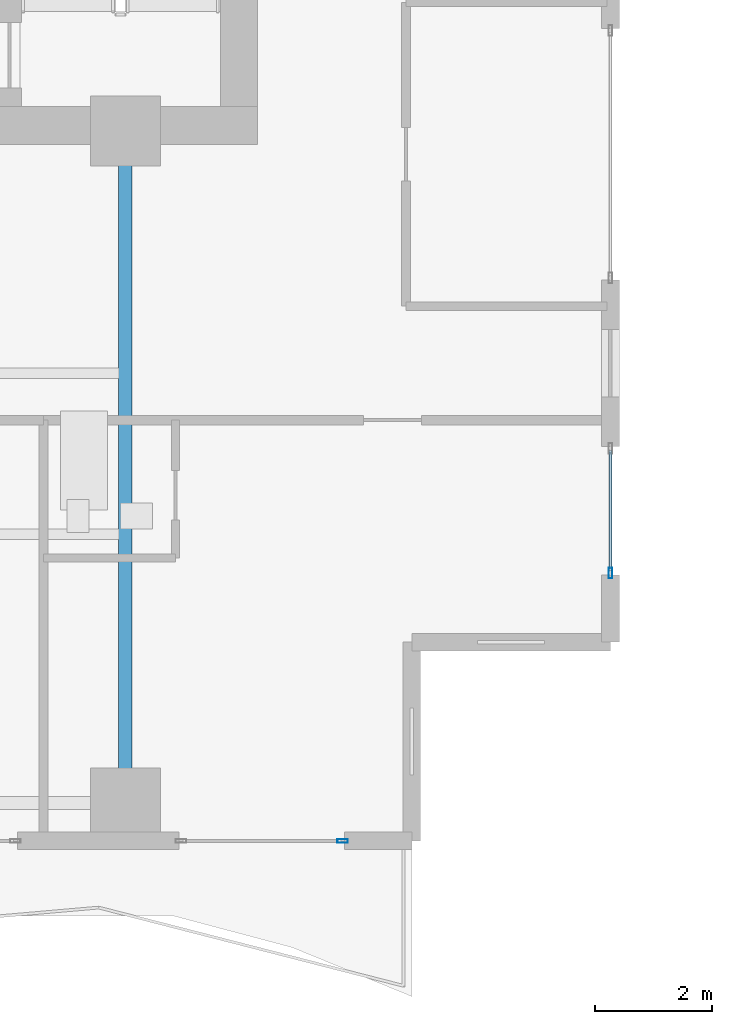
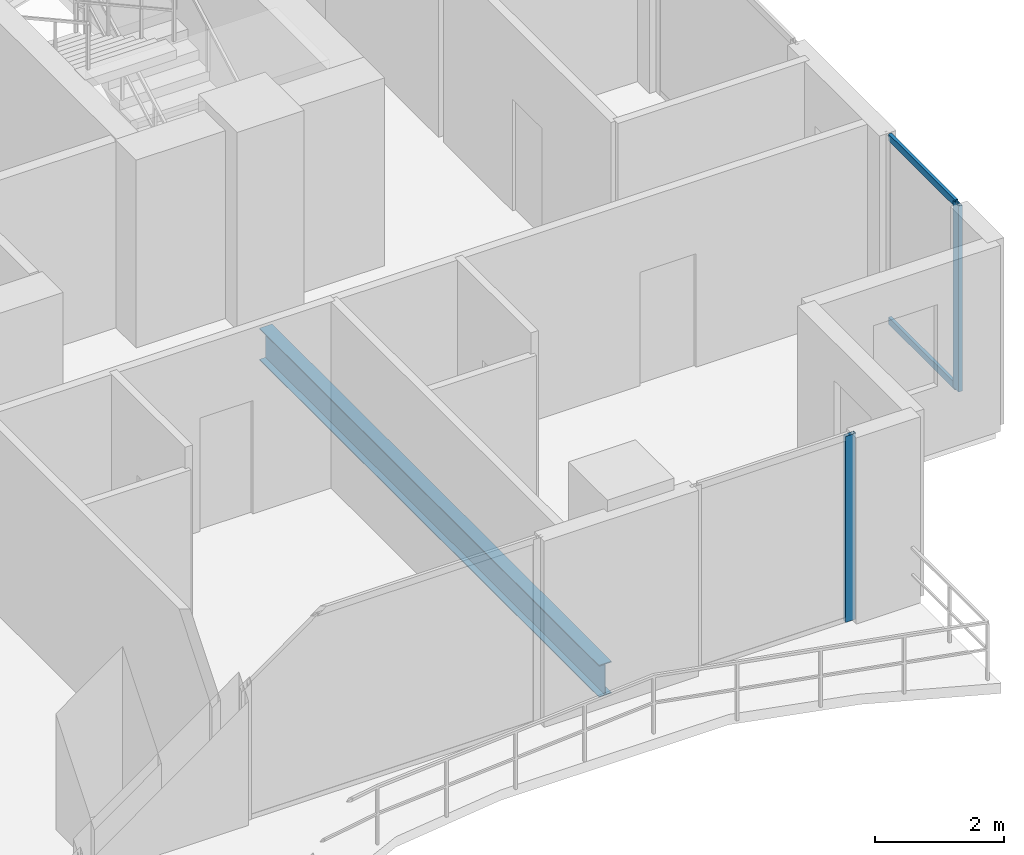
# One storey, part 10 of 32: 4 members, 1 beam, 2 elements without a shape of their own.
"""IFC4 building model written with IfcOpenShell, lengths in metres."""

import ifcopenshell
import ifcopenshell.guid

model = None  # the IFC model being written
_history = None  # IfcOwnerHistory: only IFC2X3 demands one
_inside = {}  # id of a spatial element -> (the spatial element, [elements in it])
_under = {}  # id of a project, library or spatial element -> (it, [spatial elements below it])
_declared = {}  # id of a project -> (the project, [libraries it declares])
_typed = {}  # id of a type object -> (the type object, [elements of that type])
_made_of = {}  # id of a material, layer set ... -> (it, [elements and type objects made of it])


def new_model(schema):
    """Start an empty IFC model of exactly this schema.

    Asked for "IFC4X3", IfcOpenShell would pick the latest addendum, in which some entities
    have other attributes; the version numbers below select the first issue.
    IFC2X3 requires an IfcOwnerHistory on every rooted entity: one is made here for all.
    """
    global model, _history
    if schema == "IFC4X3":
        model = ifcopenshell.file(schema_version=(4, 3, 0, 0))
    else:
        model = ifcopenshell.file(schema=schema)
    _inside.clear()
    _under.clear()
    _declared.clear()
    _typed.clear()
    _made_of.clear()
    _history = None
    if model.schema == "IFC2X3":
        org = make("IfcOrganization", Name="unknown")
        user = make(
            "IfcPersonAndOrganization",
            ThePerson=make("IfcPerson", FamilyName="unknown"),
            TheOrganization=org,
        )
        app = make(
            "IfcApplication",
            ApplicationDeveloper=org,
            Version="unknown",
            ApplicationFullName="unknown",
            ApplicationIdentifier="unknown",
        )
        _history = make(
            "IfcOwnerHistory",
            OwningUser=user,
            OwningApplication=app,
            ChangeAction="ADDED",
            CreationDate=0,
        )
    return model


def make(cls, **values):
    """One entity of the class cls with the attributes given. An attribute that is None is left unset."""
    return model.create_entity(
        cls, **{name: value for name, value in values.items() if value is not None}
    )


def rooted(cls, **values):
    """An entity with a GlobalId (a new one), such as an element, a storey or a relation."""
    return make(cls, GlobalId=ifcopenshell.guid.new(), OwnerHistory=_history, **values)


def si_unit(unit_type, name, prefix=None):
    """IfcSIUnit, for example si_unit("LENGTHUNIT", "METRE", prefix="MILLI")."""
    return make("IfcSIUnit", UnitType=unit_type, Prefix=prefix, Name=name)


def assignment(units):
    """IfcUnitAssignment: the units of a project."""
    return None if units is None else make("IfcUnitAssignment", Units=units)


def point(xyz):
    """IfcCartesianPoint."""
    return None if xyz is None else make("IfcCartesianPoint", Coordinates=xyz)


def direction(xyz):
    """IfcDirection."""
    return None if xyz is None else make("IfcDirection", DirectionRatios=xyz)


def frame(location, z_axis=None, x_axis=None):
    """IfcAxis2Placement3D, a coordinate frame: its origin and axes. An axis left out is left unset."""
    return make(
        "IfcAxis2Placement3D",
        Location=point(location),
        Axis=direction(z_axis),
        RefDirection=direction(x_axis),
    )


def frame_2d(location, x_axis=None):
    """IfcAxis2Placement2D, a coordinate frame in the plane: its origin and x axis."""
    return make(
        "IfcAxis2Placement2D", Location=point(location), RefDirection=direction(x_axis)
    )


def origin():
    """The frame at (0, 0, 0) with its axes left unset."""
    return frame((0.0, 0.0, 0.0))


def origin_2d():
    """The frame at (0, 0) in the plane with its x axis left unset."""
    return frame_2d((0.0, 0.0))


def place(relative_to, where):
    """IfcLocalPlacement: puts the frame where relative to a parent placement (None: the world)."""
    return make(
        "IfcLocalPlacement", PlacementRelTo=relative_to, RelativePlacement=where
    )


def context(
    kind, dimensions, precision=None, world=None, true_north=None, identifier=None
):
    """IfcGeometricRepresentationContext, for example the 3D "Model" context."""
    return make(
        "IfcGeometricRepresentationContext",
        ContextIdentifier=identifier,
        ContextType=kind,
        CoordinateSpaceDimension=dimensions,
        Precision=precision,
        WorldCoordinateSystem=world,
        TrueNorth=true_north,
    )


def subcontext(parent, identifier, kind, view, scale=None):
    """IfcGeometricRepresentationSubContext, for example "Body" below "Model"."""
    return make(
        "IfcGeometricRepresentationSubContext",
        ContextIdentifier=identifier,
        ContextType=kind,
        ParentContext=parent,
        TargetScale=scale,
        TargetView=view,
    )


def project(units=None, contexts=None):
    """IfcProject with its units and contexts."""
    return rooted(
        "IfcProject",
        Name="project",
        RepresentationContexts=contexts,
        UnitsInContext=assignment(units),
    )


def spatial(cls, under=None, at=None, **own):
    """A site, building, storey or space (cls), placed at a placement, below another one or the project."""
    s = rooted(cls, ObjectPlacement=at, **own)
    if under is not None:
        _under.setdefault(under.id(), (under, []))[1].append(s)
    return s


def profile(cls, at=None, kind="AREA", **sizes):
    """A parametric profile (cls). Its sizes go by their IFC names, for example OverallWidth=200.0."""
    return make(cls, ProfileType=kind, Position=at, **sizes)


def hollow_rectangle(**sizes):
    """IfcRectangleHollowProfileDef."""
    return profile("IfcRectangleHollowProfileDef", **sizes)


def i_section(**sizes):
    """IfcIShapeProfileDef."""
    return profile("IfcIShapeProfileDef", **sizes)


def extrude(swept, where, along, depth):
    """IfcExtrudedAreaSolid: the profile swept, set in the frame where, extruded along a direction by depth."""
    return make(
        "IfcExtrudedAreaSolid",
        SweptArea=swept,
        Position=where,
        ExtrudedDirection=direction(along),
        Depth=depth,
    )


def shape(context_of_items, identifier, shape_type, items):
    """IfcShapeRepresentation: the items that make up one representation, for example the "Body"."""
    return make(
        "IfcShapeRepresentation",
        ContextOfItems=context_of_items,
        RepresentationIdentifier=identifier,
        RepresentationType=shape_type,
        Items=items,
    )


def material(Name=None, Category=None):
    """IfcMaterial."""
    return make("IfcMaterial", Name=Name, Category=Category)


def layer(
    of_material, thickness, ventilated=None, Name=None, Category=None, Priority=None
):
    """IfcMaterialLayer: one layer of a wall or slab, of a material (None: an air gap)."""
    return make(
        "IfcMaterialLayer",
        Material=of_material,
        LayerThickness=thickness,
        IsVentilated=ventilated,
        Name=Name,
        Category=Category,
        Priority=Priority,
    )


def layer_set(layers, Name=None):
    """IfcMaterialLayerSet."""
    return make("IfcMaterialLayerSet", MaterialLayers=layers, LayerSetName=Name)


def material_profile(
    of_material, cross_section, Name=None, Category=None, Priority=None
):
    """IfcMaterialProfile: a cross section and its material."""
    return make(
        "IfcMaterialProfile",
        Name=Name,
        Material=of_material,
        Profile=cross_section,
        Priority=Priority,
        Category=Category,
    )


def profile_set(profiles, Name=None, composite=None):
    """IfcMaterialProfileSet."""
    return make(
        "IfcMaterialProfileSet",
        Name=Name,
        MaterialProfiles=profiles,
        CompositeProfile=composite,
    )


def made_of(thing, what):
    """Note that an element or type object is made of a material, layer set ...; save() writes the relation."""
    if what is not None:
        _made_of.setdefault(what.id(), (what, []))[1].append(thing)
    return thing


def type_object(cls, material=None, **own):
    """A type object (cls), such as IfcWallType, which elements share."""
    return made_of(rooted(cls, **own), material)


def element(
    cls,
    number,
    at=None,
    inside=None,
    cuts=None,
    type_object=None,
    material=None,
    context=None,
    identifier="Body",
    shape_type=None,
    held_by="IfcProductDefinitionShape",
    body=None,
    shapes=None,
    **own,
):
    """One element of the class cls, such as IfcWall. Its Tag is "e" and its number.

    at: its placement. inside: the storey or other place that contains it. cuts: it is an
    opening in that element (IfcRelVoidsElement). A single representation is given by context,
    identifier, shape_type and body (its items); several are given by shapes. held_by: the class
    of the entity that holds the representations. save() writes the other relations.
    """
    e = rooted(cls, Tag="e%d" % number, ObjectPlacement=at, **own)
    if body is not None:
        shapes = [shape(context, identifier, shape_type, body)]
    if shapes is not None:
        e.Representation = make(held_by, Representations=shapes)
    if inside is not None:
        _inside.setdefault(inside.id(), (inside, []))[1].append(e)
    if cuts is not None:
        rooted(
            "IfcRelVoidsElement", RelatingBuildingElement=cuts, RelatedOpeningElement=e
        )
    if type_object is not None:
        _typed.setdefault(type_object.id(), (type_object, []))[1].append(e)
    return made_of(e, material)


def aggregate(whole, parts):
    """IfcRelAggregates: a whole, such as a stair, and the parts it consists of."""
    return rooted("IfcRelAggregates", RelatingObject=whole, RelatedObjects=parts)


def save(model, path):
    """Write the relations noted so far, then the file.

    IfcRelAggregates (storeys below a building ...), IfcRelContainedInSpatialStructure (elements
    in a storey), IfcRelDefinesByType, IfcRelAssociatesMaterial and IfcRelDeclares: one each for
    every whole, place, type object, material and project.
    """
    for whole, parts in _under.values():
        aggregate(whole, parts)
    for where, things in _inside.values():
        rooted(
            "IfcRelContainedInSpatialStructure",
            RelatedElements=things,
            RelatingStructure=where,
        )
    for kind, things in _typed.values():
        rooted("IfcRelDefinesByType", RelatedObjects=things, RelatingType=kind)
    for what, things in _made_of.values():
        rooted("IfcRelAssociatesMaterial", RelatedObjects=things, RelatingMaterial=what)
    for by, libraries in _declared.values():
        rooted("IfcRelDeclares", RelatingContext=by, RelatedDefinitions=libraries)
    model.write(path)


model = new_model("IFC4")

# Units and contexts
model_context = context("Model", 3, precision=1e-05, world=origin(), true_north=direction((0.0, 1.0)))
body_context = subcontext(model_context, "Body", "Model", "MODEL_VIEW")
ifc_project = project(units=[si_unit("LENGTHUNIT", "METRE"), si_unit("AREAUNIT", "SQUARE_METRE"), si_unit("VOLUMEUNIT", "CUBIC_METRE"), si_unit("PLANEANGLEUNIT", "RADIAN"), si_unit("MASSUNIT", "GRAM", prefix="KILO")], contexts=[model_context])

# Site, building, storey
site_placement = place(None, origin())
site = spatial("IfcSite", under=ifc_project, at=site_placement, CompositionType="ELEMENT")
building_placement = place(site_placement, origin())
building = spatial("IfcBuilding", under=site, at=building_placement, Name="Zuhayl Quay Hotel", CompositionType="ELEMENT")
storey_placement = place(building_placement, frame((0.0, 0.0, 192.39990234375)))
storey = spatial("IfcBuildingStorey", under=building, at=storey_placement, Name="L48", CompositionType="ELEMENT", Elevation=192.39990234375)

# Beam
ifc_material_1 = material(Name="Steel ASTM A992 Grade 50", Category="steel")
ifc_material_profile_1 = material_profile(ifc_material_1, i_section(OverallWidth=0.22802734375, OverallDepth=0.60693359375, WebThickness=0.01123046875, FlangeThickness=0.017333984375, at=origin_2d()), Name="W24X76")
ifc_profile_set_1 = profile_set([ifc_material_profile_1], Name="Steel ASTM A992 Grade 50")
beam_type = type_object("IfcBeamType", Name="BM_B3_W24X76", PredefinedType="BEAM", material=ifc_profile_set_1)
beam_placement = place(storey_placement, frame((13.800048828125, -6.449951171875, -0.5234375), z_axis=(0.0, 1.0, 0.0), x_axis=(-1.0, 0.0, 0.0)))
element("IfcBeam", 1, at=beam_placement, inside=storey, type_object=beam_type, Name="L48 Floor Beam FG_S_L48_4", PredefinedType="BEAM", context=body_context, shape_type="SweptSolid", body=[
    extrude(i_section(OverallWidth=0.22802734375, OverallDepth=0.60693359375, WebThickness=0.01123046875, FlangeThickness=0.017333984375, at=origin_2d()), origin(), (0.0, 0.0, 1.0), 10.550048828125),
])

# Curtain wall, member
ifc_material_2 = material(Name="Anodised Aluminium 6063-T6", Category="aluminium")
ifc_layer = layer(ifc_material_2, 0.175048828125, Name="Anodised Aluminium 6063-T6", Category="aluminium")
ifc_layer_set = layer_set([ifc_layer], Name="Anodised Aluminium 6063-T6")
curtain_wall_type = type_object("IfcCurtainWallType", Name="CW_SYS_Z3", PredefinedType="USERDEFINED", material=ifc_layer_set)
curtain_wall_1_placement = place(storey_placement, origin())
curtain_wall_1 = element("IfcCurtainWall", 2, at=curtain_wall_1_placement, inside=storey, type_object=curtain_wall_type, Name="L48 Curtain Wall ENV_L48_E14_CW2", ObjectType="UNITISED CURTAIN WALL", PredefinedType="USERDEFINED")
ifc_material_3 = material(Name="Black-anodised aluminium 6063-T6", Category="aluminium")
ifc_material_profile_2 = material_profile(ifc_material_3, hollow_rectangle(XDim=0.06494140625, YDim=0.179931640625, WallThickness=0.00341796875, at=origin_2d()), Name="ALU180X65")
ifc_profile_set_2 = profile_set([ifc_material_profile_2], Name="Black-anodised aluminium 6063-T6")
member_type_1 = type_object("IfcMemberType", Name="MB_CW_MUL_180", PredefinedType="MULLION", material=ifc_profile_set_2)
member_1_placement = place(storey_placement, frame((22.10009765625, -3.017578125, 0.0), z_axis=(0.0, 0.0, 1.0), x_axis=(1.0, 0.0, 0.0)))
member_1 = element("IfcMember", 3, at=member_1_placement, type_object=member_type_1, Name="CW-Z3 mullion 2", PredefinedType="MULLION", context=body_context, shape_type="SweptSolid", body=[
    extrude(hollow_rectangle(XDim=0.06494140625, YDim=0.179931640625, WallThickness=0.00341796875, at=origin_2d()), origin(), (0.0, 0.0, 1.0), 3.530029296875),
])

curtain_wall_2_placement = place(storey_placement, origin())
curtain_wall_2 = element("IfcCurtainWall", 4, at=curtain_wall_2_placement, inside=storey, type_object=curtain_wall_type, Name="L48 Curtain Wall ENV_L48_S_CW1", ObjectType="UNITISED CURTAIN WALL", PredefinedType="USERDEFINED")
member_2_placement = place(storey_placement, frame((17.517578125, -7.60009765625, 0.0), z_axis=(0.0, 0.0, 1.0), x_axis=(0.0, -1.0, 0.0)))
member_2 = element("IfcMember", 5, at=member_2_placement, type_object=member_type_1, Name="CW-Z3 mullion 1", PredefinedType="MULLION", context=body_context, shape_type="SweptSolid", body=[
    extrude(hollow_rectangle(XDim=0.06494140625, YDim=0.179931640625, WallThickness=0.00341796875, at=origin_2d()), origin(), (0.0, 0.0, 1.0), 3.530029296875),
])
aggregate(curtain_wall_2, [member_2])

# Member
ifc_material_profile_3 = material_profile(ifc_material_3, hollow_rectangle(XDim=0.054931640625, YDim=0.1298828125, WallThickness=0.0029296875, at=origin_2d()), Name="ALU130X55")
ifc_profile_set_3 = profile_set([ifc_material_profile_3], Name="Black-anodised aluminium 6063-T6")
member_type_2 = type_object("IfcMemberType", Name="MB_CW_TRN_130", PredefinedType="USERDEFINED", material=ifc_profile_set_3)
member_3_placement = place(storey_placement, frame((22.10009765625, -0.9150390625, 0.027587890625), z_axis=(0.0, -1.0, 0.0), x_axis=(1.0, 0.0, 0.0)))
member_3 = element("IfcMember", 6, at=member_3_placement, type_object=member_type_2, Name="CW-Z3 transom 1.1", ObjectType="TRANSOM", PredefinedType="USERDEFINED", context=body_context, shape_type="SweptSolid", body=[
    extrude(hollow_rectangle(XDim=0.054931640625, YDim=0.1298828125, WallThickness=0.0029296875, at=origin_2d()), origin(), (0.0, 0.0, 1.0), 2.070068359375),
])

member_4_placement = place(storey_placement, frame((22.10009765625, -0.9150390625, 3.502685546875), z_axis=(0.0, -1.0, 0.0), x_axis=(1.0, 0.0, 0.0)))
member_4 = element("IfcMember", 7, at=member_4_placement, type_object=member_type_2, Name="CW-Z3 transom 1.2", ObjectType="TRANSOM", PredefinedType="USERDEFINED", context=body_context, shape_type="SweptSolid", body=[
    extrude(hollow_rectangle(XDim=0.054931640625, YDim=0.1298828125, WallThickness=0.0029296875, at=origin_2d()), origin(), (0.0, 0.0, 1.0), 2.070068359375),
])

aggregate(curtain_wall_1, [member_1, member_3, member_4])

save(model, "model.ifc")
